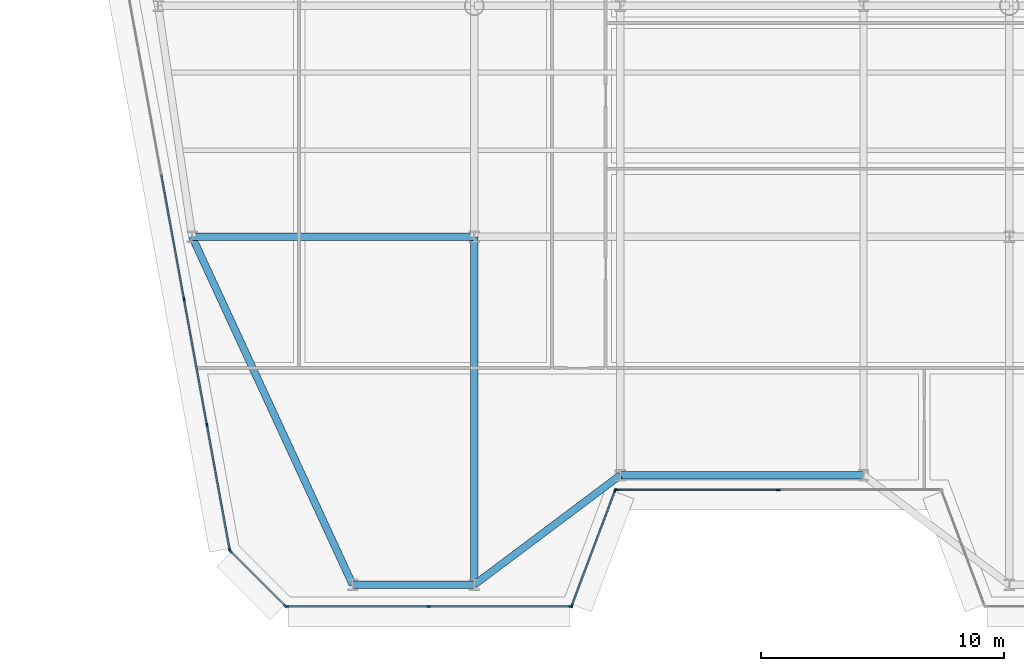
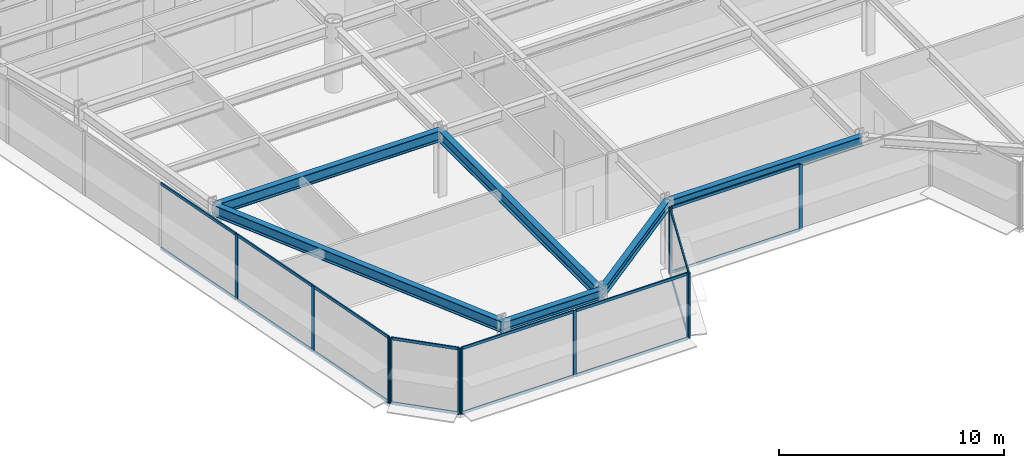
# One storey, part 2 of 17: 28 members, 6 beams, 5 elements without a shape of their own.
"""IFC4 building model written with IfcOpenShell, lengths in metres."""

from ifc_helpers import new_model, si_unit, direction, frame, origin, origin_2d, place, context, subcontext, project, spatial, rectangle, i_section, extrude, source, transform, mapped, material, layer, layer_set, material_profile, profile_set, type_object, element, aggregate, save


model = new_model("IFC4")

# Units and contexts
model_context = context("Model", 3, precision=1e-05, world=origin(), true_north=direction((0.0, 1.0)))
body_context = subcontext(model_context, "Body", "Model", "MODEL_VIEW")
ifc_project = project(units=[si_unit("LENGTHUNIT", "METRE"), si_unit("AREAUNIT", "SQUARE_METRE"), si_unit("VOLUMEUNIT", "CUBIC_METRE"), si_unit("PLANEANGLEUNIT", "RADIAN"), si_unit("MASSUNIT", "GRAM", prefix="KILO")], contexts=[model_context])

# Site, building, storey
site_placement = place(None, origin())
site = spatial("IfcSite", under=ifc_project, at=site_placement, CompositionType="ELEMENT")
building_placement = place(site_placement, origin())
building = spatial("IfcBuilding", under=site, at=building_placement, Name="Vaeldorn Concourse Tower", CompositionType="ELEMENT")
storey_placement = place(building_placement, frame((0.0, 0.0, 161.39990234375)))
storey = spatial("IfcBuildingStorey", under=building, at=storey_placement, Name="L41", CompositionType="ELEMENT", Elevation=161.39990234375)

# Beams
ifc_material_1 = material(Name="Steel S355", Category="steel")
ifc_material_profile_1 = material_profile(ifc_material_1, i_section(OverallWidth=0.300048828125, OverallDepth=0.5, WebThickness=0.014404296875, FlangeThickness=0.028076171875, FilletRadius=0.027099609375, at=origin_2d()), Name="HEB 500")
ifc_profile_set_1 = profile_set([ifc_material_profile_1], Name="Steel S355")
beam_type_1 = type_object("IfcBeamType", Name="BM-SP-HEB500", PredefinedType="SPANDREL", material=ifc_profile_set_1)
shared_shape_1 = source(origin(), body_context, "Body", "SweptSolid", [
    extrude(i_section(OverallWidth=0.300048828125, OverallDepth=0.5, WebThickness=0.014404296875, FlangeThickness=0.028076171875, FilletRadius=0.027099609375, at=origin_2d()), origin(), (0.0, 0.0, 1.0), 5.0),
])
beam_1_placement = place(storey_placement, frame((18.0, 3.699951171875, 3.330078125), z_axis=(1.0, 0.0, 0.0), x_axis=(0.0, 1.0, 0.0)))
element("IfcBeam", 1, at=beam_1_placement, inside=storey, type_object=beam_type_1, Name="Beam BM-L41-C-SF1-C-SF2", PredefinedType="SPANDREL", context=body_context, shape_type="MappedRepresentation", body=[
    mapped(shared_shape_1, transform((0.0, 0.0, 0.0), scale=1.0)),
])
shared_shape_2 = source(origin(), body_context, "Body", "SweptSolid", [
    extrude(i_section(OverallWidth=0.300048828125, OverallDepth=0.5, WebThickness=0.014404296875, FlangeThickness=0.028076171875, FilletRadius=0.027099609375, at=origin_2d()), origin(), (0.0, 0.0, 1.0), 7.5),
])
beam_2_placement = place(storey_placement, frame((23.0, 3.699951171875, 3.330078125), z_axis=(0.8, 0.6, 0.0), x_axis=(-0.6, 0.8, 0.0)))
element("IfcBeam", 2, at=beam_2_placement, inside=storey, type_object=beam_type_1, Name="Beam BM-L41-C-SF2-C-SF3", PredefinedType="SPANDREL", context=body_context, shape_type="MappedRepresentation", body=[
    mapped(shared_shape_2, transform((0.0, 0.0, 0.0), scale=1.0)),
])
shared_shape_3 = source(origin(), body_context, "Body", "SweptSolid", [
    extrude(i_section(OverallWidth=0.300048828125, OverallDepth=0.5, WebThickness=0.014404296875, FlangeThickness=0.028076171875, FilletRadius=0.027099609375, at=origin_2d()), origin(), (0.0, 0.0, 1.0), 10.0),
])
beam_3_placement = place(storey_placement, frame((29.0, 8.199951171875, 3.330078125), z_axis=(1.0, 0.0, 0.0), x_axis=(0.0, 1.0, 0.0)))
element("IfcBeam", 3, at=beam_3_placement, inside=storey, type_object=beam_type_1, Name="Beam BM-L41-C-SF3-C-SF4", PredefinedType="SPANDREL", context=body_context, shape_type="MappedRepresentation", body=[
    mapped(shared_shape_3, transform((0.0, 0.0, 0.0), scale=1.0)),
])
ifc_material_profile_2 = material_profile(ifc_material_1, i_section(OverallWidth=0.300048828125, OverallDepth=0.60009765625, WebThickness=0.015380859375, FlangeThickness=0.030029296875, FilletRadius=0.027099609375, at=origin_2d()), Name="HEB 600")
ifc_profile_set_2 = profile_set([ifc_material_profile_2], Name="Steel S355")
beam_type_2 = type_object("IfcBeamType", Name="BM-PG-HEB600", PredefinedType="BEAM", material=ifc_profile_set_2)
shared_shape_4 = source(origin(), body_context, "Body", "SweptSolid", [
    extrude(i_section(OverallWidth=0.300048828125, OverallDepth=0.60009765625, WebThickness=0.015380859375, FlangeThickness=0.030029296875, FilletRadius=0.027099609375, at=origin_2d()), origin(), (0.0, 0.0, 1.0), 11.60009765625),
])
beam_4_placement = place(storey_placement, frame((11.39990234375, 18.0, 3.280029296875), z_axis=(1.0, 0.0, 0.0), x_axis=(0.0, 1.0, 0.0)))
element("IfcBeam", 4, at=beam_4_placement, inside=storey, type_object=beam_type_2, Name="Beam BM-L41-C-FLW2-C-TW5", PredefinedType="BEAM", context=body_context, shape_type="MappedRepresentation", body=[
    mapped(shared_shape_4, transform((0.0, 0.0, 0.0), scale=1.0)),
])
shared_shape_5 = source(origin(), body_context, "Body", "SweptSolid", [
    extrude(i_section(OverallWidth=0.300048828125, OverallDepth=0.60009765625, WebThickness=0.015380859375, FlangeThickness=0.030029296875, FilletRadius=0.027099609375, at=origin_2d()), origin(), (0.0, 0.0, 1.0), 15.749755859375),
])
beam_5_placement = place(storey_placement, frame((18.0, 3.699951171875, 3.280029296875), z_axis=(-0.419062109495, 0.907957569706, 0.0), x_axis=(-0.907957569706, -0.419062109495, 0.0)))
element("IfcBeam", 5, at=beam_5_placement, inside=storey, type_object=beam_type_2, Name="Beam BM-L41-C-SF1-C-FLW2", PredefinedType="BEAM", context=body_context, shape_type="MappedRepresentation", body=[
    mapped(shared_shape_5, transform((0.0, 0.0, 0.0), scale=1.0)),
])
shared_shape_6 = source(origin(), body_context, "Body", "SweptSolid", [
    extrude(i_section(OverallWidth=0.300048828125, OverallDepth=0.60009765625, WebThickness=0.015380859375, FlangeThickness=0.030029296875, FilletRadius=0.027099609375, at=origin_2d()), origin(), (0.0, 0.0, 1.0), 14.300048828125),
])
beam_6_placement = place(storey_placement, frame((23.0, 3.699951171875, 3.280029296875), z_axis=(0.0, 1.0, 0.0), x_axis=(-1.0, 0.0, 0.0)))
element("IfcBeam", 6, at=beam_6_placement, inside=storey, type_object=beam_type_2, Name="Beam BM-L41-C-SF2-C-TW5", PredefinedType="BEAM", context=body_context, shape_type="MappedRepresentation", body=[
    mapped(shared_shape_6, transform((0.0, 0.0, 0.0), scale=1.0)),
])

# Curtain wall, members
ifc_material_2 = material(Name="Anodised Bronze Aluminium", Category="aluminium")
ifc_layer = layer(ifc_material_2, 0.18994140625)
ifc_layer_set = layer_set([ifc_layer], Name="Anodised Bronze Aluminium")
curtain_wall_type = type_object("IfcCurtainWallType", Name="CW-SYS-03", PredefinedType="NOTDEFINED", material=ifc_layer_set)
curtain_wall_1_placement = place(storey_placement, origin())
curtain_wall_1 = element("IfcCurtainWall", 7, at=curtain_wall_1_placement, inside=storey, type_object=curtain_wall_type, Name="Unitised Curtain Wall CW-L41-E02-1", PredefinedType="NOTDEFINED")
ifc_material_profile_3 = material_profile(ifc_material_2, rectangle(XDim=0.06494140625, YDim=0.14990234375, at=origin_2d()), Name="CWT 65x150")
ifc_profile_set_3 = profile_set([ifc_material_profile_3], Name="Anodised Bronze Aluminium")
member_type_1 = type_object("IfcMemberType", Name="CWT-BRONZE-150", PredefinedType="USERDEFINED", material=ifc_profile_set_3)
shared_shape_7 = source(origin(), body_context, "Body", "SweptSolid", [
    extrude(rectangle(XDim=0.06494140625, YDim=0.14990234375, at=origin_2d()), origin(), (0.0, 0.0, 1.0), 4.996337890625),
])
member_1_placement = place(storey_placement, frame((27.022705078125, 2.86083984375, 0.03271484375), z_axis=(0.351134151405, 0.936325161318, 0.0), x_axis=(-0.936325161318, 0.351134151405, 0.0)))
member_1 = element("IfcMember", 8, at=member_1_placement, type_object=member_type_1, Name="CW-03 transom 1.1", ObjectType="TRANSOM", PredefinedType="USERDEFINED", context=body_context, shape_type="MappedRepresentation", body=[
    mapped(shared_shape_7, transform((0.0, 0.0, 0.0), scale=1.0)),
])
member_2_placement = place(storey_placement, frame((27.022705078125, 2.86083984375, 3.547607421875), z_axis=(0.351134151405, 0.936325161318, 0.0), x_axis=(-0.936325161318, 0.351134151405, 0.0)))
member_2 = element("IfcMember", 9, at=member_2_placement, type_object=member_type_1, Name="CW-03 transom 1.2", ObjectType="TRANSOM", PredefinedType="USERDEFINED", context=body_context, shape_type="MappedRepresentation", body=[
    mapped(shared_shape_7, transform((0.0, 0.0, 0.0), scale=1.0)),
])

curtain_wall_2_placement = place(storey_placement, origin())
curtain_wall_2 = element("IfcCurtainWall", 10, at=curtain_wall_2_placement, inside=storey, type_object=curtain_wall_type, Name="Unitised Curtain Wall CW-L41-E03-1", PredefinedType="NOTDEFINED")
shared_shape_8 = source(origin(), body_context, "Body", "SweptSolid", [
    extrude(rectangle(XDim=0.06494140625, YDim=0.14990234375, at=origin_2d()), origin(), (0.0, 0.0, 1.0), 6.6025390625),
])
member_3_placement = place(storey_placement, frame((28.864990234375, 7.60009765625, 0.03271484375), z_axis=(1.0, 0.0, 0.0), x_axis=(0.0, 1.0, 0.0)))
member_3 = element("IfcMember", 11, at=member_3_placement, type_object=member_type_1, Name="CW-03 transom 1.1", ObjectType="TRANSOM", PredefinedType="USERDEFINED", context=body_context, shape_type="MappedRepresentation", body=[
    mapped(shared_shape_8, transform((0.0, 0.0, 0.0), scale=1.0)),
])
member_4_placement = place(storey_placement, frame((28.864990234375, 7.60009765625, 3.547607421875), z_axis=(1.0, 0.0, 0.0), x_axis=(0.0, 1.0, 0.0)))
member_4 = element("IfcMember", 12, at=member_4_placement, type_object=member_type_1, Name="CW-03 transom 1.2", ObjectType="TRANSOM", PredefinedType="USERDEFINED", context=body_context, shape_type="MappedRepresentation", body=[
    mapped(shared_shape_8, transform((0.0, 0.0, 0.0), scale=1.0)),
])

curtain_wall_3_placement = place(storey_placement, origin())
curtain_wall_3 = element("IfcCurtainWall", 13, at=curtain_wall_3_placement, inside=storey, type_object=curtain_wall_type, Name="Unitised Curtain Wall CW-L41-E12-1", PredefinedType="NOTDEFINED")
shared_shape_9 = source(origin(), body_context, "Body", "SweptSolid", [
    extrude(rectangle(XDim=0.06494140625, YDim=0.14990234375, at=origin_2d()), origin(), (0.0, 0.0, 1.0), 3.12255859375),
])
member_5_placement = place(storey_placement, frame((12.9990234375, 5.053955078125, 0.03271484375), z_axis=(0.707106781187, -0.707106781187, 0.0), x_axis=(0.707106781187, 0.707106781187, 0.0)))
member_5 = element("IfcMember", 14, at=member_5_placement, type_object=member_type_1, Name="CW-03 transom 1.1", ObjectType="TRANSOM", PredefinedType="USERDEFINED", context=body_context, shape_type="MappedRepresentation", body=[
    mapped(shared_shape_9, transform((0.0, 0.0, 0.0), scale=1.0)),
])
member_6_placement = place(storey_placement, frame((12.9990234375, 5.053955078125, 3.547607421875), z_axis=(0.707106781187, -0.707106781187, 0.0), x_axis=(0.707106781187, 0.707106781187, 0.0)))
member_6 = element("IfcMember", 15, at=member_6_placement, type_object=member_type_1, Name="CW-03 transom 1.2", ObjectType="TRANSOM", PredefinedType="USERDEFINED", context=body_context, shape_type="MappedRepresentation", body=[
    mapped(shared_shape_9, transform((0.0, 0.0, 0.0), scale=1.0)),
])

curtain_wall_4_placement = place(storey_placement, origin())
curtain_wall_4 = element("IfcCurtainWall", 16, at=curtain_wall_4_placement, inside=storey, type_object=curtain_wall_type, Name="Unitised Curtain Wall CW-L41-E01-1", PredefinedType="NOTDEFINED")
shared_shape_10 = source(origin(), body_context, "Body", "SweptSolid", [
    extrude(rectangle(XDim=0.06494140625, YDim=0.14990234375, at=origin_2d()), origin(), (0.0, 0.0, 1.0), 5.77587890625),
])
member_7_placement = place(storey_placement, frame((15.318115234375, 2.800048828125, 0.03271484375), z_axis=(1.0, 0.0, 0.0), x_axis=(0.0, 1.0, 0.0)))
member_7 = element("IfcMember", 17, at=member_7_placement, type_object=member_type_1, Name="CW-03 transom 1.1", ObjectType="TRANSOM", PredefinedType="USERDEFINED", context=body_context, shape_type="MappedRepresentation", body=[
    mapped(shared_shape_10, transform((0.0, 0.0, 0.0), scale=1.0)),
])
member_8_placement = place(storey_placement, frame((15.318115234375, 2.800048828125, 3.547607421875), z_axis=(1.0, 0.0, 0.0), x_axis=(0.0, 1.0, 0.0)))
member_8 = element("IfcMember", 18, at=member_8_placement, type_object=member_type_1, Name="CW-03 transom 1.2", ObjectType="TRANSOM", PredefinedType="USERDEFINED", context=body_context, shape_type="MappedRepresentation", body=[
    mapped(shared_shape_10, transform((0.0, 0.0, 0.0), scale=1.0)),
])
shared_shape_11 = source(origin(), body_context, "Body", "SweptSolid", [
    extrude(rectangle(XDim=0.06494140625, YDim=0.14990234375, at=origin_2d()), origin(), (0.0, 0.0, 1.0), 5.776123046875),
])
member_9_placement = place(storey_placement, frame((21.158935546875, 2.800048828125, 0.03271484375), z_axis=(1.0, 0.0, 0.0), x_axis=(0.0, 1.0, 0.0)))
member_9 = element("IfcMember", 19, at=member_9_placement, type_object=member_type_1, Name="CW-03 transom 2.1", ObjectType="TRANSOM", PredefinedType="USERDEFINED", context=body_context, shape_type="MappedRepresentation", body=[
    mapped(shared_shape_11, transform((0.0, 0.0, 0.0), scale=1.0)),
])
member_10_placement = place(storey_placement, frame((21.158935546875, 2.800048828125, 3.547607421875), z_axis=(1.0, 0.0, 0.0), x_axis=(0.0, 1.0, 0.0)))
member_10 = element("IfcMember", 20, at=member_10_placement, type_object=member_type_1, Name="CW-03 transom 2.2", ObjectType="TRANSOM", PredefinedType="USERDEFINED", context=body_context, shape_type="MappedRepresentation", body=[
    mapped(shared_shape_11, transform((0.0, 0.0, 0.0), scale=1.0)),
])

curtain_wall_5_placement = place(storey_placement, origin())
curtain_wall_5 = element("IfcCurtainWall", 21, at=curtain_wall_5_placement, inside=storey, type_object=curtain_wall_type, Name="Unitised Curtain Wall CW-L41-E11-2", PredefinedType="NOTDEFINED")
shared_shape_12 = source(origin(), body_context, "Body", "SweptSolid", [
    extrude(rectangle(XDim=0.06494140625, YDim=0.14990234375, at=origin_2d()), origin(), (0.0, 0.0, 1.0), 5.151611328125),
])
member_11_placement = place(storey_placement, frame((12.016845703125, 10.23193359375, 0.03271484375), z_axis=(0.179473445995, -0.983762818053, 0.0), x_axis=(0.983762818053, 0.179473445995, 0.0)))
member_11 = element("IfcMember", 22, at=member_11_placement, type_object=member_type_1, Name="CW-03 transom 6.1", ObjectType="TRANSOM", PredefinedType="USERDEFINED", context=body_context, shape_type="MappedRepresentation", body=[
    mapped(shared_shape_12, transform((0.0, 0.0, 0.0), scale=1.0)),
])
member_12_placement = place(storey_placement, frame((12.016845703125, 10.23193359375, 3.547607421875), z_axis=(0.179473445995, -0.983762818053, 0.0), x_axis=(0.983762818053, 0.179473445995, 0.0)))
member_12 = element("IfcMember", 23, at=member_12_placement, type_object=member_type_1, Name="CW-03 transom 6.2", ObjectType="TRANSOM", PredefinedType="USERDEFINED", context=body_context, shape_type="MappedRepresentation", body=[
    mapped(shared_shape_12, transform((0.0, 0.0, 0.0), scale=1.0)),
])
shared_shape_13 = source(origin(), body_context, "Body", "SweptSolid", [
    extrude(rectangle(XDim=0.06494140625, YDim=0.14990234375, at=origin_2d()), origin(), (0.0, 0.0, 1.0), 5.18408203125),
])
member_13_placement = place(storey_placement, frame((11.074951171875, 15.395751953125, 0.03271484375), z_axis=(0.179432467646, -0.983770293084, 0.0), x_axis=(0.983770293084, 0.179432467646, 0.0)))
member_13 = element("IfcMember", 24, at=member_13_placement, type_object=member_type_1, Name="CW-03 transom 5.1", ObjectType="TRANSOM", PredefinedType="USERDEFINED", context=body_context, shape_type="MappedRepresentation", body=[
    mapped(shared_shape_13, transform((0.0, 0.0, 0.0), scale=1.0)),
])
member_14_placement = place(storey_placement, frame((11.074951171875, 15.395751953125, 3.547607421875), z_axis=(0.179432467646, -0.983770293084, 0.0), x_axis=(0.983770293084, 0.179432467646, 0.0)))
member_14 = element("IfcMember", 25, at=member_14_placement, type_object=member_type_1, Name="CW-03 transom 5.2", ObjectType="TRANSOM", PredefinedType="USERDEFINED", context=body_context, shape_type="MappedRepresentation", body=[
    mapped(shared_shape_13, transform((0.0, 0.0, 0.0), scale=1.0)),
])
shared_shape_14 = source(origin(), body_context, "Body", "SweptSolid", [
    extrude(rectangle(XDim=0.06494140625, YDim=0.14990234375, at=origin_2d()), origin(), (0.0, 0.0, 1.0), 5.184326171875),
])
member_15_placement = place(storey_placement, frame((10.133056640625, 20.559814453125, 0.03271484375), z_axis=(0.179424154775, -0.983771809254, 0.0), x_axis=(0.983771809254, 0.179424154775, 0.0)))
member_15 = element("IfcMember", 26, at=member_15_placement, type_object=member_type_1, Name="CW-03 transom 4.1", ObjectType="TRANSOM", PredefinedType="USERDEFINED", context=body_context, shape_type="MappedRepresentation", body=[
    mapped(shared_shape_14, transform((0.0, 0.0, 0.0), scale=1.0)),
])
member_16_placement = place(storey_placement, frame((10.133056640625, 20.559814453125, 3.547607421875), z_axis=(0.179424154775, -0.983771809254, 0.0), x_axis=(0.983771809254, 0.179424154775, 0.0)))
member_16 = element("IfcMember", 27, at=member_16_placement, type_object=member_type_1, Name="CW-03 transom 4.2", ObjectType="TRANSOM", PredefinedType="USERDEFINED", context=body_context, shape_type="MappedRepresentation", body=[
    mapped(shared_shape_14, transform((0.0, 0.0, 0.0), scale=1.0)),
])

# Member
ifc_material_profile_4 = material_profile(ifc_material_2, rectangle(XDim=0.06494140625, YDim=0.169921875, at=origin_2d()), Name="CWM 65x170")
ifc_profile_set_4 = profile_set([ifc_material_profile_4], Name="Anodised Bronze Aluminium")
member_type_2 = type_object("IfcMemberType", Name="CWM-BRONZE-170", PredefinedType="MULLION", material=ifc_profile_set_4)
shared_shape_15 = source(origin(), body_context, "Body", "SweptSolid", [
    extrude(rectangle(XDim=0.06494140625, YDim=0.169921875, at=origin_2d()), origin(), (0.0, 0.0, 1.0), 3.580078125),
])
member_17_placement = place(storey_placement, frame((15.285400390625, 2.800048828125, 0.0), z_axis=(0.0, 0.0, 1.0), x_axis=(0.0, 1.0, 0.0)))
member_17 = element("IfcMember", 28, at=member_17_placement, type_object=member_type_2, Name="CW-03 mullion 1", PredefinedType="MULLION", context=body_context, shape_type="MappedRepresentation", body=[
    mapped(shared_shape_15, transform((0.0, 0.0, 0.0), scale=1.0)),
])

member_18_placement = place(storey_placement, frame((21.12646484375, 2.800048828125, 0.0), z_axis=(0.0, 0.0, 1.0), x_axis=(0.0, 1.0, 0.0)))
member_18 = element("IfcMember", 29, at=member_18_placement, type_object=member_type_2, Name="CW-03 mullion 2", PredefinedType="MULLION", context=body_context, shape_type="MappedRepresentation", body=[
    mapped(shared_shape_15, transform((0.0, 0.0, 0.0), scale=1.0)),
])

member_19_placement = place(storey_placement, frame((26.967529296875, 2.800048828125, 0.0), z_axis=(0.0, 0.0, 1.0), x_axis=(0.0, 1.0, 0.0)))
member_19 = element("IfcMember", 30, at=member_19_placement, type_object=member_type_2, Name="CW-03 mullion 3", PredefinedType="MULLION", context=body_context, shape_type="MappedRepresentation", body=[
    mapped(shared_shape_15, transform((0.0, 0.0, 0.0), scale=1.0)),
])

aggregate(curtain_wall_4, [member_17, member_18, member_19, member_7, member_8, member_9, member_10])

member_20_placement = place(storey_placement, frame((27.011474609375, 2.830322265625, 0.0), z_axis=(0.0, 0.0, 1.0), x_axis=(-0.936329177566, 0.351123441595, 0.0)))
member_20 = element("IfcMember", 31, at=member_20_placement, type_object=member_type_2, Name="CW-03 mullion 1", PredefinedType="MULLION", context=body_context, shape_type="MappedRepresentation", body=[
    mapped(shared_shape_15, transform((0.0, 0.0, 0.0), scale=1.0)),
])

member_21_placement = place(storey_placement, frame((28.78857421875, 7.569580078125, 0.0), z_axis=(0.0, 0.0, 1.0), x_axis=(-0.936329177566, 0.351123441595, 0.0)))
member_21 = element("IfcMember", 32, at=member_21_placement, type_object=member_type_2, Name="CW-03 mullion 2", PredefinedType="MULLION", context=body_context, shape_type="MappedRepresentation", body=[
    mapped(shared_shape_15, transform((0.0, 0.0, 0.0), scale=1.0)),
])

aggregate(curtain_wall_1, [member_20, member_21, member_1, member_2])

member_22_placement = place(storey_placement, frame((28.83251953125, 7.60009765625, 0.0), z_axis=(0.0, 0.0, 1.0), x_axis=(0.0, 1.0, 0.0)))
member_22 = element("IfcMember", 33, at=member_22_placement, type_object=member_type_2, Name="CW-03 mullion 1", PredefinedType="MULLION", context=body_context, shape_type="MappedRepresentation", body=[
    mapped(shared_shape_15, transform((0.0, 0.0, 0.0), scale=1.0)),
])

member_23_placement = place(storey_placement, frame((35.5, 7.60009765625, 0.0), z_axis=(0.0, 0.0, 1.0), x_axis=(0.0, 1.0, 0.0)))
member_23 = element("IfcMember", 34, at=member_23_placement, type_object=member_type_2, Name="CW-03 mullion 2", PredefinedType="MULLION", context=body_context, shape_type="MappedRepresentation", body=[
    mapped(shared_shape_15, transform((0.0, 0.0, 0.0), scale=1.0)),
])

aggregate(curtain_wall_2, [member_22, member_23, member_3, member_4])

member_24_placement = place(storey_placement, frame((11.069091796875, 15.427734375, 0.0), z_axis=(0.0, 0.0, 1.0), x_axis=(0.983767841325, 0.179445909331, 0.0)))
member_24 = element("IfcMember", 35, at=member_24_placement, type_object=member_type_2, Name="CW-03 mullion 5", PredefinedType="MULLION", context=body_context, shape_type="MappedRepresentation", body=[
    mapped(shared_shape_15, transform((0.0, 0.0, 0.0), scale=1.0)),
])

member_25_placement = place(storey_placement, frame((12.010986328125, 10.263916015625, 0.0), z_axis=(0.0, 0.0, 1.0), x_axis=(0.983767841325, 0.179445909331, 0.0)))
member_25 = element("IfcMember", 36, at=member_25_placement, type_object=member_type_2, Name="CW-03 mullion 6", PredefinedType="MULLION", context=body_context, shape_type="MappedRepresentation", body=[
    mapped(shared_shape_15, transform((0.0, 0.0, 0.0), scale=1.0)),
])

member_26_placement = place(storey_placement, frame((12.947265625, 5.132080078125, 0.0), z_axis=(0.0, 0.0, 1.0), x_axis=(0.983767841325, 0.179445909331, 0.0)))
member_26 = element("IfcMember", 37, at=member_26_placement, type_object=member_type_2, Name="CW-03 mullion 7", PredefinedType="MULLION", context=body_context, shape_type="MappedRepresentation", body=[
    mapped(shared_shape_15, transform((0.0, 0.0, 0.0), scale=1.0)),
])

aggregate(curtain_wall_5, [member_24, member_25, member_26, member_15, member_16, member_13, member_14, member_11, member_12])

member_27_placement = place(storey_placement, frame((12.97607421875, 5.076904296875, 0.0), z_axis=(0.0, 0.0, 1.0), x_axis=(0.707106781187, 0.707106781187, 0.0)))
member_27 = element("IfcMember", 38, at=member_27_placement, type_object=member_type_2, Name="CW-03 mullion 1", PredefinedType="MULLION", context=body_context, shape_type="MappedRepresentation", body=[
    mapped(shared_shape_15, transform((0.0, 0.0, 0.0), scale=1.0)),
])

member_28_placement = place(storey_placement, frame((15.22998046875, 2.822998046875, 0.0), z_axis=(0.0, 0.0, 1.0), x_axis=(0.707106781187, 0.707106781187, 0.0)))
member_28 = element("IfcMember", 39, at=member_28_placement, type_object=member_type_2, Name="CW-03 mullion 2", PredefinedType="MULLION", context=body_context, shape_type="MappedRepresentation", body=[
    mapped(shared_shape_15, transform((0.0, 0.0, 0.0), scale=1.0)),
])

aggregate(curtain_wall_3, [member_27, member_28, member_5, member_6])

save(model, "model.ifc")
